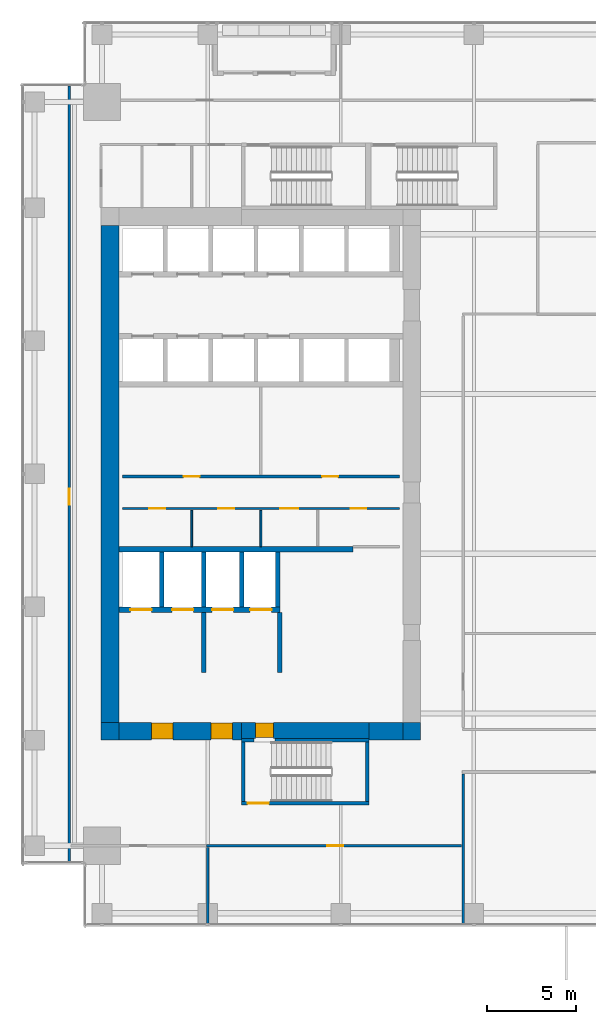
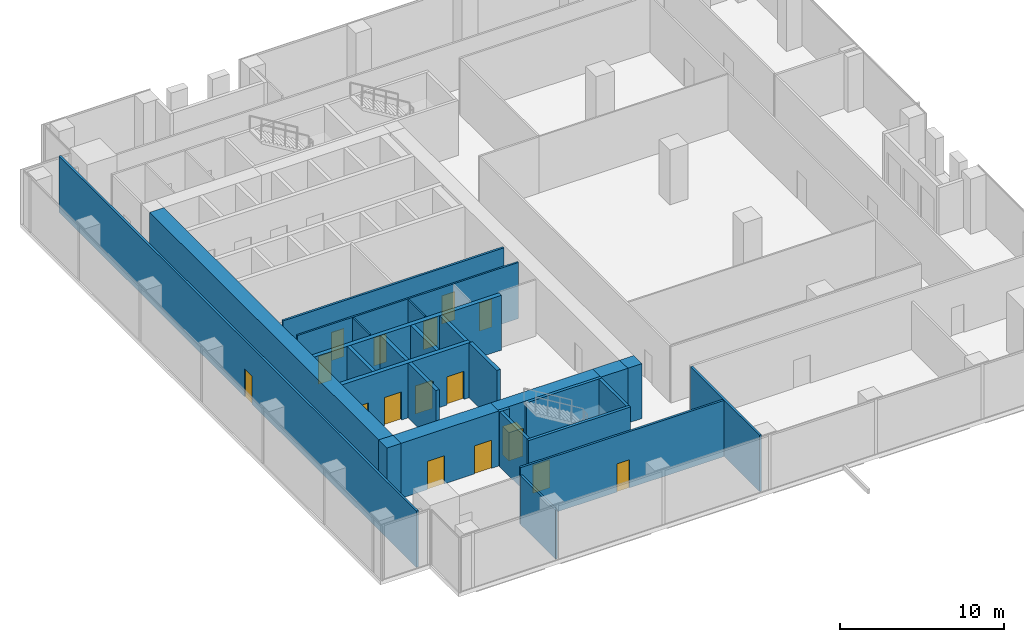
# One storey, part 28 of 34: 27 walls, 16 doors, 16 openings.
"""IFC4 building model written with IfcOpenShell, lengths in metres."""

import ifcopenshell
import ifcopenshell.guid

model = None  # the IFC model being written
_history = None  # IfcOwnerHistory: only IFC2X3 demands one
_inside = {}  # id of a spatial element -> (the spatial element, [elements in it])
_under = {}  # id of a project, library or spatial element -> (it, [spatial elements below it])
_declared = {}  # id of a project -> (the project, [libraries it declares])
_typed = {}  # id of a type object -> (the type object, [elements of that type])
_made_of = {}  # id of a material, layer set ... -> (it, [elements and type objects made of it])


def new_model(schema):
    """Start an empty IFC model of exactly this schema.

    Asked for "IFC4X3", IfcOpenShell would pick the latest addendum, in which some entities
    have other attributes; the version numbers below select the first issue.
    IFC2X3 requires an IfcOwnerHistory on every rooted entity: one is made here for all.
    """
    global model, _history
    if schema == "IFC4X3":
        model = ifcopenshell.file(schema_version=(4, 3, 0, 0))
    else:
        model = ifcopenshell.file(schema=schema)
    _inside.clear()
    _under.clear()
    _declared.clear()
    _typed.clear()
    _made_of.clear()
    _history = None
    if model.schema == "IFC2X3":
        org = make("IfcOrganization", Name="unknown")
        user = make(
            "IfcPersonAndOrganization",
            ThePerson=make("IfcPerson", FamilyName="unknown"),
            TheOrganization=org,
        )
        app = make(
            "IfcApplication",
            ApplicationDeveloper=org,
            Version="unknown",
            ApplicationFullName="unknown",
            ApplicationIdentifier="unknown",
        )
        _history = make(
            "IfcOwnerHistory",
            OwningUser=user,
            OwningApplication=app,
            ChangeAction="ADDED",
            CreationDate=0,
        )
    return model


def make(cls, **values):
    """One entity of the class cls with the attributes given. An attribute that is None is left unset."""
    return model.create_entity(
        cls, **{name: value for name, value in values.items() if value is not None}
    )


def rooted(cls, **values):
    """An entity with a GlobalId (a new one), such as an element, a storey or a relation."""
    return make(cls, GlobalId=ifcopenshell.guid.new(), OwnerHistory=_history, **values)


def si_unit(unit_type, name, prefix=None):
    """IfcSIUnit, for example si_unit("LENGTHUNIT", "METRE", prefix="MILLI")."""
    return make("IfcSIUnit", UnitType=unit_type, Prefix=prefix, Name=name)


def assignment(units):
    """IfcUnitAssignment: the units of a project."""
    return None if units is None else make("IfcUnitAssignment", Units=units)


def point(xyz):
    """IfcCartesianPoint."""
    return None if xyz is None else make("IfcCartesianPoint", Coordinates=xyz)


def direction(xyz):
    """IfcDirection."""
    return None if xyz is None else make("IfcDirection", DirectionRatios=xyz)


def frame(location, z_axis=None, x_axis=None):
    """IfcAxis2Placement3D, a coordinate frame: its origin and axes. An axis left out is left unset."""
    return make(
        "IfcAxis2Placement3D",
        Location=point(location),
        Axis=direction(z_axis),
        RefDirection=direction(x_axis),
    )


def frame_2d(location, x_axis=None):
    """IfcAxis2Placement2D, a coordinate frame in the plane: its origin and x axis."""
    return make(
        "IfcAxis2Placement2D", Location=point(location), RefDirection=direction(x_axis)
    )


def origin():
    """The frame at (0, 0, 0) with its axes left unset."""
    return frame((0.0, 0.0, 0.0))


def place(relative_to, where):
    """IfcLocalPlacement: puts the frame where relative to a parent placement (None: the world)."""
    return make(
        "IfcLocalPlacement", PlacementRelTo=relative_to, RelativePlacement=where
    )


def context(
    kind, dimensions, precision=None, world=None, true_north=None, identifier=None
):
    """IfcGeometricRepresentationContext, for example the 3D "Model" context."""
    return make(
        "IfcGeometricRepresentationContext",
        ContextIdentifier=identifier,
        ContextType=kind,
        CoordinateSpaceDimension=dimensions,
        Precision=precision,
        WorldCoordinateSystem=world,
        TrueNorth=true_north,
    )


def subcontext(parent, identifier, kind, view, scale=None):
    """IfcGeometricRepresentationSubContext, for example "Body" below "Model"."""
    return make(
        "IfcGeometricRepresentationSubContext",
        ContextIdentifier=identifier,
        ContextType=kind,
        ParentContext=parent,
        TargetScale=scale,
        TargetView=view,
    )


def project(units=None, contexts=None):
    """IfcProject with its units and contexts."""
    return rooted(
        "IfcProject",
        Name="project",
        RepresentationContexts=contexts,
        UnitsInContext=assignment(units),
    )


def spatial(cls, under=None, at=None, **own):
    """A site, building, storey or space (cls), placed at a placement, below another one or the project."""
    s = rooted(cls, ObjectPlacement=at, **own)
    if under is not None:
        _under.setdefault(under.id(), (under, []))[1].append(s)
    return s


def profile(cls, at=None, kind="AREA", **sizes):
    """A parametric profile (cls). Its sizes go by their IFC names, for example OverallWidth=200.0."""
    return make(cls, ProfileType=kind, Position=at, **sizes)


def rectangle(**sizes):
    """IfcRectangleProfileDef."""
    return profile("IfcRectangleProfileDef", **sizes)


def extrude(swept, where, along, depth):
    """IfcExtrudedAreaSolid: the profile swept, set in the frame where, extruded along a direction by depth."""
    return make(
        "IfcExtrudedAreaSolid",
        SweptArea=swept,
        Position=where,
        ExtrudedDirection=direction(along),
        Depth=depth,
    )


def shape(context_of_items, identifier, shape_type, items):
    """IfcShapeRepresentation: the items that make up one representation, for example the "Body"."""
    return make(
        "IfcShapeRepresentation",
        ContextOfItems=context_of_items,
        RepresentationIdentifier=identifier,
        RepresentationType=shape_type,
        Items=items,
    )


def source(mapping_origin, context_of_items, identifier, shape_type, items):
    """IfcRepresentationMap: a shape defined once, which mapped items show again and again."""
    return make(
        "IfcRepresentationMap",
        MappingOrigin=mapping_origin,
        MappedRepresentation=shape(context_of_items, identifier, shape_type, items),
    )


def transform(
    local_origin,
    x_axis=None,
    y_axis=None,
    z_axis=None,
    scale=None,
    scale2=None,
    scale3=None,
    uniform=True,
):
    """IfcCartesianTransformationOperator3D, or its non-uniform kind. x_axis, y_axis, z_axis: its Axis1, 2, 3."""
    if uniform:
        return make(
            "IfcCartesianTransformationOperator3D",
            Axis1=direction(x_axis),
            Axis2=direction(y_axis),
            LocalOrigin=point(local_origin),
            Scale=scale,
            Axis3=direction(z_axis),
        )
    return make(
        "IfcCartesianTransformationOperator3DnonUniform",
        Axis1=direction(x_axis),
        Axis2=direction(y_axis),
        LocalOrigin=point(local_origin),
        Scale=scale,
        Axis3=direction(z_axis),
        Scale2=scale2,
        Scale3=scale3,
    )


def mapped(mapping_source, mapping_target):
    """IfcMappedItem: shows the shape of a source again, moved by a transform."""
    return make(
        "IfcMappedItem", MappingSource=mapping_source, MappingTarget=mapping_target
    )


def material(Name=None, Category=None):
    """IfcMaterial."""
    return make("IfcMaterial", Name=Name, Category=Category)


def layer(
    of_material, thickness, ventilated=None, Name=None, Category=None, Priority=None
):
    """IfcMaterialLayer: one layer of a wall or slab, of a material (None: an air gap)."""
    return make(
        "IfcMaterialLayer",
        Material=of_material,
        LayerThickness=thickness,
        IsVentilated=ventilated,
        Name=Name,
        Category=Category,
        Priority=Priority,
    )


def layer_set(layers, Name=None):
    """IfcMaterialLayerSet."""
    return make("IfcMaterialLayerSet", MaterialLayers=layers, LayerSetName=Name)


def made_of(thing, what):
    """Note that an element or type object is made of a material, layer set ...; save() writes the relation."""
    if what is not None:
        _made_of.setdefault(what.id(), (what, []))[1].append(thing)
    return thing


def type_object(cls, material=None, **own):
    """A type object (cls), such as IfcWallType, which elements share."""
    return made_of(rooted(cls, **own), material)


def element(
    cls,
    number,
    at=None,
    inside=None,
    cuts=None,
    type_object=None,
    material=None,
    context=None,
    identifier="Body",
    shape_type=None,
    held_by="IfcProductDefinitionShape",
    body=None,
    shapes=None,
    **own,
):
    """One element of the class cls, such as IfcWall. Its Tag is "e" and its number.

    at: its placement. inside: the storey or other place that contains it. cuts: it is an
    opening in that element (IfcRelVoidsElement). A single representation is given by context,
    identifier, shape_type and body (its items); several are given by shapes. held_by: the class
    of the entity that holds the representations. save() writes the other relations.
    """
    e = rooted(cls, Tag="e%d" % number, ObjectPlacement=at, **own)
    if body is not None:
        shapes = [shape(context, identifier, shape_type, body)]
    if shapes is not None:
        e.Representation = make(held_by, Representations=shapes)
    if inside is not None:
        _inside.setdefault(inside.id(), (inside, []))[1].append(e)
    if cuts is not None:
        rooted(
            "IfcRelVoidsElement", RelatingBuildingElement=cuts, RelatedOpeningElement=e
        )
    if type_object is not None:
        _typed.setdefault(type_object.id(), (type_object, []))[1].append(e)
    return made_of(e, material)


def fill(opening, filler):
    """IfcRelFillsElement: the door or window that sits in an opening."""
    return rooted(
        "IfcRelFillsElement",
        RelatingOpeningElement=opening,
        RelatedBuildingElement=filler,
    )


def aggregate(whole, parts):
    """IfcRelAggregates: a whole, such as a stair, and the parts it consists of."""
    return rooted("IfcRelAggregates", RelatingObject=whole, RelatedObjects=parts)


def save(model, path):
    """Write the relations noted so far, then the file.

    IfcRelAggregates (storeys below a building ...), IfcRelContainedInSpatialStructure (elements
    in a storey), IfcRelDefinesByType, IfcRelAssociatesMaterial and IfcRelDeclares: one each for
    every whole, place, type object, material and project.
    """
    for whole, parts in _under.values():
        aggregate(whole, parts)
    for where, things in _inside.values():
        rooted(
            "IfcRelContainedInSpatialStructure",
            RelatedElements=things,
            RelatingStructure=where,
        )
    for kind, things in _typed.values():
        rooted("IfcRelDefinesByType", RelatedObjects=things, RelatingType=kind)
    for what, things in _made_of.values():
        rooted("IfcRelAssociatesMaterial", RelatedObjects=things, RelatingMaterial=what)
    for by, libraries in _declared.values():
        rooted("IfcRelDeclares", RelatingContext=by, RelatedDefinitions=libraries)
    model.write(path)


model = new_model("IFC4")

# Units and contexts
model_context = context("Model", 3, precision=1e-05, world=origin(), true_north=direction((0.0, 1.0)))
body_context = subcontext(model_context, "Body", "Model", "MODEL_VIEW")
ifc_project = project(units=[si_unit("LENGTHUNIT", "METRE"), si_unit("AREAUNIT", "SQUARE_METRE"), si_unit("VOLUMEUNIT", "CUBIC_METRE"), si_unit("PLANEANGLEUNIT", "RADIAN"), si_unit("MASSUNIT", "GRAM", prefix="KILO")], contexts=[model_context])

# Site, building, storey
site_placement = place(None, origin())
site = spatial("IfcSite", under=ifc_project, at=site_placement, CompositionType="ELEMENT")
building_placement = place(site_placement, origin())
building = spatial("IfcBuilding", under=site, at=building_placement, Name="Khomas Fold Tower", CompositionType="ELEMENT")
storey_placement = place(building_placement, frame((0.0, 0.0, 145.5)))
storey = spatial("IfcBuildingStorey", under=building, at=storey_placement, Name="L31", CompositionType="ELEMENT", Elevation=145.5)

# Wall, openings, doors
ifc_material_1 = material(Name="Concrete C70/85", Category="concrete")
ifc_layer_1 = layer(ifc_material_1, 1.0)
ifc_layer_set_1 = layer_set([ifc_layer_1], Name="Concrete C70/85")
wall_type_1 = type_object("IfcWallType", Name="Core wall 1000", PredefinedType="SHEAR", material=ifc_layer_set_1)
shared_shape_1 = source(origin(), body_context, "Body", "SweptSolid", [
    extrude(rectangle(XDim=6.89990234375, YDim=1.0, at=frame_2d((3.449951171875, 0.0))), origin(), (0.0, 0.0, 1.0), 4.10009765625),
])
wall_1_placement = place(storey_placement, frame((7.0, 12.5, 0.0), z_axis=(0.0, 0.0, 1.0), x_axis=(1.0, 0.0, 0.0)))
wall_1 = element("IfcWall", 1, at=wall_1_placement, inside=storey, type_object=wall_type_1, Name="Core wall CW-L-S-L21", PredefinedType="SHEAR", context=body_context, shape_type="MappedRepresentation", body=[
    mapped(shared_shape_1, transform((0.0, 0.0, 0.0))),
])
shared_shape_2 = source(origin(), body_context, "Body", "SweptSolid", [
    extrude(rectangle(XDim=1.199951171875, YDim=2.10009765625, at=frame_2d((0.60009765625, 1.050048828125))), frame((0.0, 0.510009765625, 0.0), z_axis=(0.0, -1.0, 0.0), x_axis=(1.0, 0.0, 0.0)), (0.0, 0.0, 1.0), 1.02001953125),
])
opening_1_placement = place(wall_1_placement, frame((5.199951171875, 0.0, 0.0)))
opening_1 = element("IfcOpeningElement", 2, at=opening_1_placement, cuts=wall_1, Name="Opening 0009", PredefinedType="OPENING", context=body_context, shape_type="MappedRepresentation", body=[
    mapped(shared_shape_2, transform((0.0, 0.0, 0.0))),
])
opening_2_placement = place(wall_1_placement, frame((1.85009765625, 0.0, 0.0)))
opening_2 = element("IfcOpeningElement", 3, at=opening_2_placement, cuts=wall_1, Name="Opening 0009", PredefinedType="OPENING", context=body_context, shape_type="MappedRepresentation", body=[
    mapped(shared_shape_2, transform((0.0, 0.0, 0.0))),
])
ifc_material_2 = material(Name="Steel door leaf", Category="steel")
door_type_1 = type_object("IfcDoorType", Name="Lobby door 1200x2100 right-hand", OperationType="SINGLE_SWING_RIGHT", PredefinedType="DOOR", material=ifc_material_2)
shared_shape_3 = source(origin(), body_context, "Body", "SweptSolid", [
    extrude(rectangle(XDim=1.199951171875, YDim=2.10009765625, at=frame_2d((0.60009765625, 1.050048828125))), frame((0.0, 0.449951171875, 0.0), z_axis=(0.0, -1.0, 0.0), x_axis=(1.0, 0.0, 0.0)), (0.0, 0.0, 1.0), 0.89990234375),
])
door_1_placement = place(opening_1_placement, origin())
door_1 = element("IfcDoor", 4, at=door_1_placement, inside=storey, type_object=door_type_1, Name="Lobby door", OperationType="SINGLE_SWING_RIGHT", OverallHeight=2.10009765625, OverallWidth=1.199951171875, PredefinedType="DOOR", context=body_context, shape_type="MappedRepresentation", body=[
    mapped(shared_shape_3, transform((0.0, 0.0, 0.0))),
])
fill(opening_1, door_1)
door_2_placement = place(opening_2_placement, origin())
door_2 = element("IfcDoor", 5, at=door_2_placement, inside=storey, type_object=door_type_1, Name="Lobby door", OperationType="SINGLE_SWING_RIGHT", OverallHeight=2.10009765625, OverallWidth=1.199951171875, PredefinedType="DOOR", context=body_context, shape_type="MappedRepresentation", body=[
    mapped(shared_shape_3, transform((0.0, 0.0, 0.0))),
])
fill(opening_2, door_2)

# Walls
ifc_material_3 = material(Name="Concrete C70/85", Category="concrete")
ifc_layer_2 = layer(ifc_material_3, 1.0)
ifc_layer_set_2 = layer_set([ifc_layer_2], Name="Concrete C70/85")
wall_type_2 = type_object("IfcWallType", Name="Core corner wall 1000", PredefinedType="SHEAR", material=ifc_layer_set_2)
shared_shape_4 = source(origin(), body_context, "Body", "SweptSolid", [
    extrude(rectangle(XDim=1.0, YDim=1.0, at=frame_2d((0.5, 0.0))), origin(), (0.0, 0.0, 1.0), 4.10009765625),
])
for number, where, z_axis, x_axis, name in (
    (6, (23.0, 12.5, 0.0), (0.0, 0.0, 1.0), (1.0, 0.0, 0.0), "Core wall CW-L-SE-L21"),
    (7, (6.0, 12.5, 0.0), (0.0, 0.0, 1.0), (1.0, 0.0, 0.0), "Core wall CW-L-SW-L21"),
):
    element("IfcWall", number, at=place(storey_placement, frame(where, z_axis=z_axis, x_axis=x_axis)), inside=storey, type_object=wall_type_2, Name=name, PredefinedType="SHEAR", context=body_context, shape_type="MappedRepresentation", body=[
        mapped(shared_shape_4, transform((0.0, 0.0, 0.0))),
    ])

# Wall, opening, door
ifc_material_4 = material(Name="Concrete C70/85", Category="concrete")
ifc_layer_3 = layer(ifc_material_4, 0.89990234375)
ifc_layer_set_3 = layer_set([ifc_layer_3], Name="Concrete C70/85")
wall_type_3 = type_object("IfcWallType", Name="Core wall 900", PredefinedType="SHEAR", material=ifc_layer_set_3)
shared_shape_5 = source(origin(), body_context, "Body", "SweptSolid", [
    extrude(rectangle(XDim=7.2001953125, YDim=0.89990234375, at=frame_2d((3.60009765625, 0.0))), origin(), (0.0, 0.0, 1.0), 4.10009765625),
])
wall_2_placement = place(storey_placement, frame((13.89990234375, 12.550048828125, 0.0), z_axis=(0.0, 0.0, 1.0), x_axis=(1.0, 0.0, 0.0)))
wall_2 = element("IfcWall", 8, at=wall_2_placement, inside=storey, type_object=wall_type_3, Name="Core wall CW-L-S-L21-1", PredefinedType="SHEAR", context=body_context, shape_type="MappedRepresentation", body=[
    mapped(shared_shape_5, transform((0.0, 0.0, 0.0))),
])
shared_shape_6 = source(origin(), body_context, "Body", "SweptSolid", [
    extrude(rectangle(XDim=1.0, YDim=2.10009765625, at=frame_2d((0.5, 1.050048828125))), frame((0.0, 0.4599609375, 0.0), z_axis=(0.0, -1.0, 0.0), x_axis=(1.0, 0.0, 0.0)), (0.0, 0.0, 1.0), 0.919921875),
])
opening_3_placement = place(wall_2_placement, frame((0.800048828125, 0.0, 0.0)))
opening_3 = element("IfcOpeningElement", 9, at=opening_3_placement, cuts=wall_2, Name="Opening 0010", PredefinedType="OPENING", context=body_context, shape_type="MappedRepresentation", body=[
    mapped(shared_shape_6, transform((0.0, 0.0, 0.0))),
])
ifc_material_5 = material(Name="Steel door leaf", Category="steel")
door_type_2 = type_object("IfcDoorType", Name="Stair door 1000x2100 right-hand", OperationType="SINGLE_SWING_RIGHT", PredefinedType="DOOR", material=ifc_material_5)
shared_shape_7 = source(origin(), body_context, "Body", "SweptSolid", [
    extrude(rectangle(XDim=1.0, YDim=2.10009765625, at=frame_2d((0.5, 1.050048828125))), frame((0.0, 0.39990234375, 0.0), z_axis=(0.0, -1.0, 0.0), x_axis=(1.0, 0.0, 0.0)), (0.0, 0.0, 1.0), 0.7998046875),
])
door_3_placement = place(opening_3_placement, origin())
door_3 = element("IfcDoor", 10, at=door_3_placement, inside=storey, type_object=door_type_2, Name="Stair door", OperationType="SINGLE_SWING_RIGHT", OverallHeight=2.10009765625, OverallWidth=1.0, PredefinedType="DOOR", context=body_context, shape_type="MappedRepresentation", body=[
    mapped(shared_shape_7, transform((0.0, 0.0, 0.0))),
])
fill(opening_3, door_3)

# Walls
shared_shape_8 = source(origin(), body_context, "Body", "SweptSolid", [
    extrude(rectangle(XDim=1.89990234375, YDim=1.0, at=frame_2d((0.949951171875, 0.0))), origin(), (0.0, 0.0, 1.0), 4.10009765625),
])
wall_3_placement = place(storey_placement, frame((21.10009765625, 12.5, 0.0), z_axis=(0.0, 0.0, 1.0), x_axis=(1.0, 0.0, 0.0)))
element("IfcWall", 11, at=wall_3_placement, inside=storey, type_object=wall_type_1, Name="Core wall CW-L-S-L21-2", PredefinedType="SHEAR", context=body_context, shape_type="MappedRepresentation", body=[
    mapped(shared_shape_8, transform((0.0, 0.0, 0.0))),
])
shared_shape_9 = source(origin(), body_context, "Body", "SweptSolid", [
    extrude(rectangle(XDim=28.0, YDim=1.0, at=frame_2d((14.0, 0.0))), origin(), (0.0, 0.0, 1.0), 4.10009765625),
])
wall_4_placement = place(storey_placement, frame((6.5, 13.0, 0.0), z_axis=(0.0, 0.0, 1.0), x_axis=(0.0, 1.0, 0.0)))
element("IfcWall", 12, at=wall_4_placement, inside=storey, type_object=wall_type_1, Name="Core wall CW-L-W-L21", PredefinedType="SHEAR", context=body_context, shape_type="MappedRepresentation", body=[
    mapped(shared_shape_9, transform((0.0, 0.0, 0.0))),
])
ifc_material_6 = material(Name="Concrete C50/60", Category="concrete")
ifc_layer_4 = layer(ifc_material_6, 0.199951171875)
ifc_layer_set_4 = layer_set([ifc_layer_4], Name="Concrete C50/60")
wall_type_4 = type_object("IfcWallType", Name="Stair wall 200", PredefinedType="SHEAR", material=ifc_layer_set_4)
shared_shape_10 = source(origin(), body_context, "Body", "SweptSolid", [
    extrude(rectangle(XDim=0.7001953125, YDim=0.199951171875, at=frame_2d((0.35009765625, 0.0))), origin(), (0.0, 0.0, 1.0), 4.10009765625),
])
wall_5_placement = place(storey_placement, frame((13.89990234375, 12.0, 0.0), z_axis=(0.0, 0.0, 1.0), x_axis=(1.0, 0.0, 0.0)))
element("IfcWall", 13, at=wall_5_placement, inside=storey, type_object=wall_type_4, Name="Stair wall SW-ST2-N", PredefinedType="SHEAR", context=body_context, shape_type="MappedRepresentation", body=[
    mapped(shared_shape_10, transform((0.0, 0.0, 0.0))),
])
shared_shape_11 = source(origin(), body_context, "Body", "SweptSolid", [
    extrude(rectangle(XDim=5.300048828125, YDim=0.199951171875, at=frame_2d((2.64990234375, 0.0))), origin(), (0.0, 0.0, 1.0), 4.10009765625),
])
wall_6_placement = place(storey_placement, frame((15.800048828125, 12.0, 0.0), z_axis=(0.0, 0.0, 1.0), x_axis=(1.0, 0.0, 0.0)))
element("IfcWall", 14, at=wall_6_placement, inside=storey, type_object=wall_type_4, Name="Stair wall SW-ST2-NB", PredefinedType="SHEAR", context=body_context, shape_type="MappedRepresentation", body=[
    mapped(shared_shape_11, transform((0.0, 0.0, 0.0))),
])

# Wall, opening, door
shared_shape_12 = source(origin(), body_context, "Body", "SweptSolid", [
    extrude(rectangle(XDim=7.2001953125, YDim=0.199951171875, at=frame_2d((3.60009765625, 0.0))), origin(), (0.0, 0.0, 1.0), 4.10009765625),
])
wall_7_placement = place(storey_placement, frame((13.89990234375, 8.449951171875, 0.0), z_axis=(0.0, 0.0, 1.0), x_axis=(1.0, 0.0, 0.0)))
wall_7 = element("IfcWall", 15, at=wall_7_placement, inside=storey, type_object=wall_type_4, Name="Stair wall SW-ST2-S", PredefinedType="SHEAR", context=body_context, shape_type="MappedRepresentation", body=[
    mapped(shared_shape_12, transform((0.0, 0.0, 0.0))),
])
shared_shape_13 = source(origin(), body_context, "Body", "SweptSolid", [
    extrude(rectangle(XDim=1.199951171875, YDim=2.10009765625, at=frame_2d((0.60009765625, 1.050048828125))), frame((0.0, 0.10986328125, 0.0), z_axis=(0.0, -1.0, 0.0), x_axis=(1.0, 0.0, 0.0)), (0.0, 0.0, 1.0), 0.219970703125),
])
opening_4_placement = place(wall_7_placement, frame((0.35009765625, 0.0, 0.0)))
opening_4 = element("IfcOpeningElement", 16, at=opening_4_placement, cuts=wall_7, Name="Opening SD-ST2", PredefinedType="OPENING", context=body_context, shape_type="MappedRepresentation", body=[
    mapped(shared_shape_13, transform((0.0, 0.0, 0.0))),
])
ifc_material_7 = material(Name="Steel door leaf", Category="steel")
door_type_3 = type_object("IfcDoorType", Name="Stair door 1200x2100 right-hand", OperationType="SINGLE_SWING_RIGHT", PredefinedType="DOOR", material=ifc_material_7)
shared_shape_14 = source(origin(), body_context, "Body", "SweptSolid", [
    extrude(rectangle(XDim=1.199951171875, YDim=2.10009765625, at=frame_2d((0.60009765625, 1.050048828125))), frame((0.0, 0.02490234375, 0.0), z_axis=(0.0, -1.0, 0.0), x_axis=(1.0, 0.0, 0.0)), (0.0, 0.0, 1.0), 0.050048828125),
])
door_4_placement = place(opening_4_placement, origin())
door_4 = element("IfcDoor", 17, at=door_4_placement, inside=storey, type_object=door_type_3, Name="Stair door", OperationType="SINGLE_SWING_RIGHT", OverallHeight=2.10009765625, OverallWidth=1.199951171875, PredefinedType="DOOR", context=body_context, shape_type="MappedRepresentation", body=[
    mapped(shared_shape_14, transform((0.0, 0.0, 0.0))),
])
fill(opening_4, door_4)

# Walls
shared_shape_15 = source(origin(), body_context, "Body", "SweptSolid", [
    extrude(rectangle(XDim=3.349853515625, YDim=0.199951171875, at=frame_2d((1.6748046875, 0.0))), origin(), (0.0, 0.0, 1.0), 4.10009765625),
])
for number, where, z_axis, x_axis, name in (
    (18, (21.0, 8.550048828125, 0.0), (0.0, 0.0, 1.0), (0.0, 1.0, 0.0), "Stair wall SW-ST2-E"),
    (19, (14.0, 8.550048828125, 0.0), (0.0, 0.0, 1.0), (0.0, 1.0, 0.0), "Stair wall SW-ST2-W"),
):
    element("IfcWall", number, at=place(storey_placement, frame(where, z_axis=z_axis, x_axis=x_axis)), inside=storey, type_object=wall_type_4, Name=name, PredefinedType="SHEAR", context=body_context, shape_type="MappedRepresentation", body=[
        mapped(shared_shape_15, transform((0.0, 0.0, 0.0))),
    ])
ifc_material_8 = material(Name="Concrete C50/60", Category="concrete")
ifc_layer_5 = layer(ifc_material_8, 0.300048828125)
ifc_layer_set_5 = layer_set([ifc_layer_5], Name="Concrete C50/60")
wall_type_5 = type_object("IfcWallType", Name="Shaft wall 300", PredefinedType="STANDARD", material=ifc_layer_set_5)
shared_shape_16 = source(origin(), body_context, "Body", "SweptSolid", [
    extrude(rectangle(XDim=13.199951171875, YDim=0.300048828125, at=frame_2d((6.60009765625, 0.0))), origin(), (0.0, 0.0, 1.0), 4.10009765625),
])
wall_8_placement = place(storey_placement, frame((7.0, 22.75, 0.0), z_axis=(0.0, 0.0, 1.0), x_axis=(1.0, 0.0, 0.0)))
element("IfcWall", 20, at=wall_8_placement, inside=storey, type_object=wall_type_5, Name="Core wall SW-FS-B", PredefinedType="STANDARD", context=body_context, shape_type="MappedRepresentation", body=[
    mapped(shared_shape_16, transform((0.0, 0.0, 0.0))),
])

# Wall, openings, doors
shared_shape_17 = source(origin(), body_context, "Body", "SweptSolid", [
    extrude(rectangle(XDim=9.074951171875, YDim=0.300048828125, at=frame_2d((4.53759765625, 0.0))), origin(), (0.0, 0.0, 1.0), 4.10009765625),
])
wall_9_placement = place(storey_placement, frame((7.0, 19.35009765625, 0.0), z_axis=(0.0, 0.0, 1.0), x_axis=(1.0, 0.0, 0.0)))
wall_9 = element("IfcWall", 21, at=wall_9_placement, inside=storey, type_object=wall_type_5, Name="Core wall SW-FS-F", PredefinedType="STANDARD", context=body_context, shape_type="MappedRepresentation", body=[
    mapped(shared_shape_17, transform((0.0, 0.0, 0.0))),
])
shared_shape_18 = source(origin(), body_context, "Body", "SweptSolid", [
    extrude(rectangle(XDim=1.199951171875, YDim=2.10009765625, at=frame_2d((0.60009765625, 1.050048828125))), frame((0.0, 0.159912109375, 0.0), z_axis=(0.0, -1.0, 0.0), x_axis=(1.0, 0.0, 0.0)), (0.0, 0.0, 1.0), 0.320068359375),
])
opening_5_placement = place(wall_9_placement, frame((0.64990234375, 0.0, 0.0)))
opening_5 = element("IfcOpeningElement", 22, at=opening_5_placement, cuts=wall_9, Name="Opening LD-SV1", PredefinedType="OPENING", context=body_context, shape_type="MappedRepresentation", body=[
    mapped(shared_shape_18, transform((0.0, 0.0, 0.0))),
])
opening_6_placement = place(wall_9_placement, frame((3.0, 0.0, 0.0)))
opening_6 = element("IfcOpeningElement", 23, at=opening_6_placement, cuts=wall_9, Name="Opening LD-SV2", PredefinedType="OPENING", context=body_context, shape_type="MappedRepresentation", body=[
    mapped(shared_shape_18, transform((0.0, 0.0, 0.0))),
])
opening_7_placement = place(wall_9_placement, frame((5.25, 0.0, 0.0)))
opening_7 = element("IfcOpeningElement", 24, at=opening_7_placement, cuts=wall_9, Name="Opening LD-FF1", PredefinedType="OPENING", context=body_context, shape_type="MappedRepresentation", body=[
    mapped(shared_shape_18, transform((0.0, 0.0, 0.0))),
])
opening_8_placement = place(wall_9_placement, frame((7.39990234375, 0.0, 0.0)))
opening_8 = element("IfcOpeningElement", 25, at=opening_8_placement, cuts=wall_9, Name="Opening LD-FF2", PredefinedType="OPENING", context=body_context, shape_type="MappedRepresentation", body=[
    mapped(shared_shape_18, transform((0.0, 0.0, 0.0))),
])
ifc_material_9 = material(Name="Steel door leaf", Category="steel")
door_type_4 = type_object("IfcDoorType", Name="Landing door 1200x2100", OperationType="DOUBLE_DOOR_SLIDING", PredefinedType="DOOR", material=ifc_material_9)
door_5_placement = place(opening_5_placement, origin())
door_5 = element("IfcDoor", 26, at=door_5_placement, inside=storey, type_object=door_type_4, Name="Lift landing door", OperationType="DOUBLE_DOOR_SLIDING", OverallHeight=2.10009765625, OverallWidth=1.199951171875, PredefinedType="DOOR", context=body_context, shape_type="MappedRepresentation", body=[
    mapped(shared_shape_14, transform((0.0, 0.0, 0.0))),
])
fill(opening_5, door_5)
door_6_placement = place(opening_6_placement, origin())
door_6 = element("IfcDoor", 27, at=door_6_placement, inside=storey, type_object=door_type_4, Name="Lift landing door", OperationType="DOUBLE_DOOR_SLIDING", OverallHeight=2.10009765625, OverallWidth=1.199951171875, PredefinedType="DOOR", context=body_context, shape_type="MappedRepresentation", body=[
    mapped(shared_shape_14, transform((0.0, 0.0, 0.0))),
])
fill(opening_6, door_6)
door_7_placement = place(opening_7_placement, origin())
door_7 = element("IfcDoor", 28, at=door_7_placement, inside=storey, type_object=door_type_4, Name="Lift landing door", OperationType="DOUBLE_DOOR_SLIDING", OverallHeight=2.10009765625, OverallWidth=1.199951171875, PredefinedType="DOOR", context=body_context, shape_type="MappedRepresentation", body=[
    mapped(shared_shape_14, transform((0.0, 0.0, 0.0))),
])
fill(opening_7, door_7)
door_8_placement = place(opening_8_placement, origin())
door_8 = element("IfcDoor", 29, at=door_8_placement, inside=storey, type_object=door_type_4, Name="Lift landing door", OperationType="DOUBLE_DOOR_SLIDING", OverallHeight=2.10009765625, OverallWidth=1.199951171875, PredefinedType="DOOR", context=body_context, shape_type="MappedRepresentation", body=[
    mapped(shared_shape_14, transform((0.0, 0.0, 0.0))),
])
fill(opening_8, door_8)

# Walls
ifc_material_10 = material(Name="Concrete C50/60", Category="concrete")
ifc_layer_6 = layer(ifc_material_10, 0.25)
ifc_layer_set_6 = layer_set([ifc_layer_6], Name="Concrete C50/60")
wall_type_6 = type_object("IfcWallType", Name="Shaft wall 250", PredefinedType="STANDARD", material=ifc_layer_set_6)
shared_shape_19 = source(origin(), body_context, "Body", "SweptSolid", [
    extrude(rectangle(XDim=3.10009765625, YDim=0.25, at=frame_2d((1.550048828125, 0.0))), origin(), (0.0, 0.0, 1.0), 4.10009765625),
])
for number, where, z_axis, x_axis, name in (
    (30, (9.425048828125, 19.5, 0.0), (0.0, 0.0, 1.0), (0.0, 1.0, 0.0), "Core wall SW-FS-P1"),
    (31, (11.77490234375, 19.5, 0.0), (0.0, 0.0, 1.0), (0.0, 1.0, 0.0), "Core wall SW-FS-P2"),
    (32, (13.925048828125, 19.5, 0.0), (0.0, 0.0, 1.0), (0.0, 1.0, 0.0), "Core wall SW-FS-P3"),
    (33, (15.949951171875, 19.5, 0.0), (0.0, 0.0, 1.0), (0.0, 1.0, 0.0), "Core wall SW-FS-PE"),
):
    element("IfcWall", number, at=place(storey_placement, frame(where, z_axis=z_axis, x_axis=x_axis)), inside=storey, type_object=wall_type_6, Name=name, PredefinedType="STANDARD", context=body_context, shape_type="MappedRepresentation", body=[
        mapped(shared_shape_19, transform((0.0, 0.0, 0.0))),
    ])
ifc_material_11 = material(Name="Concrete C50/60", Category="concrete")
ifc_layer_7 = layer(ifc_material_11, 0.25)
ifc_layer_set_7 = layer_set([ifc_layer_7], Name="Concrete C50/60")
wall_type_7 = type_object("IfcWallType", Name="Lobby wall 250", PredefinedType="STANDARD", material=ifc_layer_set_7)
shared_shape_20 = source(origin(), body_context, "Body", "SweptSolid", [
    extrude(rectangle(XDim=3.39990234375, YDim=0.25, at=frame_2d((1.699951171875, 0.0))), origin(), (0.0, 0.0, 1.0), 4.10009765625),
])
for number, where, z_axis, x_axis, name in (
    (34, (16.074951171875, 15.800048828125, 0.0), (0.0, 0.0, 1.0), (0.0, 1.0, 0.0), "Core wall SW-FS-LOB-E"),
    (35, (11.77490234375, 15.800048828125, 0.0), (0.0, 0.0, 1.0), (0.0, 1.0, 0.0), "Core wall SW-FS-SEP"),
):
    element("IfcWall", number, at=place(storey_placement, frame(where, z_axis=z_axis, x_axis=x_axis)), inside=storey, type_object=wall_type_7, Name=name, PredefinedType="STANDARD", context=body_context, shape_type="MappedRepresentation", body=[
        mapped(shared_shape_20, transform((0.0, 0.0, 0.0))),
    ])
ifc_material_12 = material(Name="Plasterboard partition")
ifc_layer_8 = layer(ifc_material_12, 0.10009765625)
ifc_layer_set_8 = layer_set([ifc_layer_8], Name="Plasterboard partition")
wall_type_8 = type_object("IfcWallType", Name="Partition PW1 100", PredefinedType="PARTITIONING", material=ifc_layer_set_8)
shared_shape_21 = source(origin(), body_context, "Body", "SweptSolid", [
    extrude(rectangle(XDim=2.050048828125, YDim=0.10009765625, at=frame_2d((1.02490234375, 0.0))), origin(), (0.0, 0.0, 1.0), 4.199951171875),
])
for number, where, z_axis, x_axis, name in (
    (36, (11.10009765625, 22.89990234375, 0.0), (0.0, 0.0, 1.0), (0.0, 1.0, 0.0), "Partition"),
    (37, (15.0, 22.89990234375, 0.0), (0.0, 0.0, 1.0), (0.0, 1.0, 0.0), "Partition"),
):
    element("IfcWall", number, at=place(storey_placement, frame(where, z_axis=z_axis, x_axis=x_axis)), inside=storey, type_object=wall_type_8, Name=name, PredefinedType="PARTITIONING", context=body_context, shape_type="MappedRepresentation", body=[
        mapped(shared_shape_21, transform((0.0, 0.0, 0.0))),
    ])

# Wall, openings, doors
ifc_material_13 = material(Name="Plasterboard partition")
ifc_layer_9 = layer(ifc_material_13, 0.125)
ifc_layer_set_9 = layer_set([ifc_layer_9], Name="Plasterboard partition")
wall_type_9 = type_object("IfcWallType", Name="Partition PW2 125", PredefinedType="PARTITIONING", material=ifc_layer_set_9)
shared_shape_22 = source(origin(), body_context, "Body", "SweptSolid", [
    extrude(rectangle(XDim=15.60009765625, YDim=0.125, at=frame_2d((7.800048828125, 0.0))), origin(), (0.0, 0.0, 1.0), 4.199951171875),
])
wall_10_placement = place(storey_placement, frame((7.199951171875, 25.050048828125, 0.0), z_axis=(0.0, 0.0, 1.0), x_axis=(1.0, 0.0, 0.0)))
wall_10 = element("IfcWall", 38, at=wall_10_placement, inside=storey, type_object=wall_type_9, Name="Partition", PredefinedType="PARTITIONING", context=body_context, shape_type="MappedRepresentation", body=[
    mapped(shared_shape_22, transform((0.0, 0.0, 0.0))),
])
shared_shape_23 = source(origin(), body_context, "Body", "SweptSolid", [
    extrude(rectangle(XDim=0.89990234375, YDim=2.10009765625, at=frame_2d((0.449951171875, 1.050048828125))), frame((0.0, 0.072509765625, 0.0), z_axis=(0.0, -1.0, 0.0), x_axis=(1.0, 0.0, 0.0)), (0.0, 0.0, 1.0), 0.14501953125),
])
opening_9_placement = place(wall_10_placement, frame((1.5, 0.0, 0.0)))
opening_9 = element("IfcOpeningElement", 39, at=opening_9_placement, cuts=wall_10, Name="Opening 0004", PredefinedType="OPENING", context=body_context, shape_type="MappedRepresentation", body=[
    mapped(shared_shape_23, transform((0.0, 0.0, 0.0))),
])
opening_10_placement = place(wall_10_placement, frame((5.39990234375, 0.0, 0.0)))
opening_10 = element("IfcOpeningElement", 40, at=opening_10_placement, cuts=wall_10, Name="Opening 0005", PredefinedType="OPENING", context=body_context, shape_type="MappedRepresentation", body=[
    mapped(shared_shape_23, transform((0.0, 0.0, 0.0))),
])
shared_shape_24 = source(origin(), body_context, "Body", "SweptSolid", [
    extrude(rectangle(XDim=1.0, YDim=2.10009765625, at=frame_2d((0.5, 1.050048828125))), frame((0.0, 0.072509765625, 0.0), z_axis=(0.0, -1.0, 0.0), x_axis=(1.0, 0.0, 0.0)), (0.0, 0.0, 1.0), 0.14501953125),
])
opening_11_placement = place(wall_10_placement, frame((8.89990234375, 0.0, 0.0)))
opening_11 = element("IfcOpeningElement", 41, at=opening_11_placement, cuts=wall_10, Name="Opening 0006", PredefinedType="OPENING", context=body_context, shape_type="MappedRepresentation", body=[
    mapped(shared_shape_24, transform((0.0, 0.0, 0.0))),
])
opening_12_placement = place(wall_10_placement, frame((12.85009765625, 0.0, 0.0)))
opening_12 = element("IfcOpeningElement", 42, at=opening_12_placement, cuts=wall_10, Name="Opening 0007", PredefinedType="OPENING", context=body_context, shape_type="MappedRepresentation", body=[
    mapped(shared_shape_23, transform((0.0, 0.0, 0.0))),
])
ifc_material_14 = material(Name="Timber door leaf", Category="wood")
door_type_5 = type_object("IfcDoorType", Name="WC door 900x2100 right-hand", OperationType="SINGLE_SWING_RIGHT", PredefinedType="DOOR", material=ifc_material_14)
shared_shape_25 = source(origin(), body_context, "Body", "SweptSolid", [
    extrude(rectangle(XDim=0.89990234375, YDim=2.10009765625, at=frame_2d((0.449951171875, 1.050048828125))), frame((0.0, 0.02490234375, 0.0), z_axis=(0.0, -1.0, 0.0), x_axis=(1.0, 0.0, 0.0)), (0.0, 0.0, 1.0), 0.050048828125),
])
door_9_placement = place(opening_9_placement, origin())
door_9 = element("IfcDoor", 43, at=door_9_placement, inside=storey, type_object=door_type_5, Name="WC door", OperationType="SINGLE_SWING_RIGHT", OverallHeight=2.10009765625, OverallWidth=0.89990234375, PredefinedType="DOOR", context=body_context, shape_type="MappedRepresentation", body=[
    mapped(shared_shape_25, transform((0.0, 0.0, 0.0))),
])
fill(opening_9, door_9)
ifc_material_15 = material(Name="Timber door leaf", Category="wood")
door_type_6 = type_object("IfcDoorType", Name="WC door 900x2100 left-hand", OperationType="SINGLE_SWING_LEFT", PredefinedType="DOOR", material=ifc_material_15)
door_10_placement = place(opening_10_placement, origin())
door_10 = element("IfcDoor", 44, at=door_10_placement, inside=storey, type_object=door_type_6, Name="WC door", OperationType="SINGLE_SWING_LEFT", OverallHeight=2.10009765625, OverallWidth=0.89990234375, PredefinedType="DOOR", context=body_context, shape_type="MappedRepresentation", body=[
    mapped(shared_shape_25, transform((0.0, 0.0, 0.0))),
])
fill(opening_10, door_10)
ifc_material_16 = material(Name="Timber door leaf", Category="wood")
door_type_7 = type_object("IfcDoorType", Name="Door 900x2100 left-hand", OperationType="SINGLE_SWING_LEFT", PredefinedType="DOOR", material=ifc_material_16)
door_11_placement = place(opening_12_placement, origin())
door_11 = element("IfcDoor", 45, at=door_11_placement, inside=storey, type_object=door_type_7, Name="Door", OperationType="SINGLE_SWING_LEFT", OverallHeight=2.10009765625, OverallWidth=0.89990234375, PredefinedType="DOOR", context=body_context, shape_type="MappedRepresentation", body=[
    mapped(shared_shape_25, transform((0.0, 0.0, 0.0))),
])
fill(opening_12, door_11)
ifc_material_17 = material(Name="Timber door leaf", Category="wood")
door_type_8 = type_object("IfcDoorType", Name="WC door 1000x2100 right-hand", OperationType="SINGLE_SWING_RIGHT", PredefinedType="DOOR", material=ifc_material_17)
shared_shape_26 = source(origin(), body_context, "Body", "SweptSolid", [
    extrude(rectangle(XDim=1.0, YDim=2.10009765625, at=frame_2d((0.5, 1.050048828125))), frame((0.0, 0.02490234375, 0.0), z_axis=(0.0, -1.0, 0.0), x_axis=(1.0, 0.0, 0.0)), (0.0, 0.0, 1.0), 0.050048828125),
])
door_12_placement = place(opening_11_placement, origin())
door_12 = element("IfcDoor", 46, at=door_12_placement, inside=storey, type_object=door_type_8, Name="WC door", OperationType="SINGLE_SWING_RIGHT", OverallHeight=2.10009765625, OverallWidth=1.0, PredefinedType="DOOR", context=body_context, shape_type="MappedRepresentation", body=[
    mapped(shared_shape_26, transform((0.0, 0.0, 0.0))),
])
fill(opening_11, door_12)

ifc_material_18 = material(Name="Plasterboard fire partition")
ifc_layer_10 = layer(ifc_material_18, 0.14990234375)
ifc_layer_set_10 = layer_set([ifc_layer_10], Name="Plasterboard fire partition")
wall_type_10 = type_object("IfcWallType", Name="Plant room wall PW3 150", PredefinedType="PARTITIONING", material=ifc_layer_set_10)
shared_shape_27 = source(origin(), body_context, "Body", "SweptSolid", [
    extrude(rectangle(XDim=15.60009765625, YDim=0.14990234375, at=frame_2d((7.800048828125, 0.0))), origin(), (0.0, 0.0, 1.0), 4.199951171875),
])
wall_11_placement = place(storey_placement, frame((7.199951171875, 26.85009765625, 0.0), z_axis=(0.0, 0.0, 1.0), x_axis=(1.0, 0.0, 0.0)))
wall_11 = element("IfcWall", 47, at=wall_11_placement, inside=storey, type_object=wall_type_10, Name="Plant room wall", PredefinedType="PARTITIONING", context=body_context, shape_type="MappedRepresentation", body=[
    mapped(shared_shape_27, transform((0.0, 0.0, 0.0))),
])
shared_shape_28 = source(origin(), body_context, "Body", "SweptSolid", [
    extrude(rectangle(XDim=0.89990234375, YDim=2.10009765625, at=frame_2d((0.449951171875, 1.050048828125))), frame((0.0, 0.0849609375, 0.0), z_axis=(0.0, -1.0, 0.0), x_axis=(1.0, 0.0, 0.0)), (0.0, 0.0, 1.0), 0.169921875),
])
opening_13_placement = place(wall_11_placement, frame((3.449951171875, 0.0, 0.0)))
opening_13 = element("IfcOpeningElement", 48, at=opening_13_placement, cuts=wall_11, Name="Opening 0002", PredefinedType="OPENING", context=body_context, shape_type="MappedRepresentation", body=[
    mapped(shared_shape_28, transform((0.0, 0.0, 0.0))),
])
opening_14_placement = place(wall_11_placement, frame((11.25, 0.0, 0.0)))
opening_14 = element("IfcOpeningElement", 49, at=opening_14_placement, cuts=wall_11, Name="Opening 0003", PredefinedType="OPENING", context=body_context, shape_type="MappedRepresentation", body=[
    mapped(shared_shape_28, transform((0.0, 0.0, 0.0))),
])
ifc_material_19 = material(Name="Steel door leaf", Category="steel")
door_type_9 = type_object("IfcDoorType", Name="Plant room door 900x2100 left-hand", OperationType="SINGLE_SWING_LEFT", PredefinedType="DOOR", material=ifc_material_19)
door_13_placement = place(opening_13_placement, origin())
door_13 = element("IfcDoor", 50, at=door_13_placement, inside=storey, type_object=door_type_9, Name="Plant room door", OperationType="SINGLE_SWING_LEFT", OverallHeight=2.10009765625, OverallWidth=0.89990234375, PredefinedType="DOOR", context=body_context, shape_type="MappedRepresentation", body=[
    mapped(shared_shape_25, transform((0.0, 0.0, 0.0))),
])
fill(opening_13, door_13)
ifc_material_20 = material(Name="Steel door leaf", Category="steel")
door_type_10 = type_object("IfcDoorType", Name="Plant room door 900x2100 right-hand", OperationType="SINGLE_SWING_RIGHT", PredefinedType="DOOR", material=ifc_material_20)
door_14_placement = place(opening_14_placement, origin())
door_14 = element("IfcDoor", 51, at=door_14_placement, inside=storey, type_object=door_type_10, Name="Plant room door", OperationType="SINGLE_SWING_RIGHT", OverallHeight=2.10009765625, OverallWidth=0.89990234375, PredefinedType="DOOR", context=body_context, shape_type="MappedRepresentation", body=[
    mapped(shared_shape_25, transform((0.0, 0.0, 0.0))),
])
fill(opening_14, door_14)

# Walls
shared_shape_29 = source(origin(), body_context, "Body", "SweptSolid", [
    extrude(rectangle(XDim=4.300048828125, YDim=0.14990234375, at=frame_2d((2.14990234375, 0.0))), origin(), (0.0, 0.0, 1.0), 3.64990234375),
])
wall_12_placement = place(storey_placement, frame((12.0, 1.64990234375, 0.0), z_axis=(0.0, 0.0, 1.0), x_axis=(0.0, 1.0, 0.0)))
element("IfcWall", 52, at=wall_12_placement, inside=storey, type_object=wall_type_10, Name="Plant room wall", PredefinedType="PARTITIONING", context=body_context, shape_type="MappedRepresentation", body=[
    mapped(shared_shape_29, transform((0.0, 0.0, 0.0))),
])
shared_shape_30 = source(origin(), body_context, "Body", "SweptSolid", [
    extrude(rectangle(XDim=8.4501953125, YDim=0.14990234375, at=frame_2d((4.22509765625, 0.0))), origin(), (0.0, 0.0, 1.0), 4.199951171875),
])
wall_13_placement = place(storey_placement, frame((26.39990234375, 1.64990234375, 0.0), z_axis=(0.0, 0.0, 1.0), x_axis=(0.0, 1.0, 0.0)))
element("IfcWall", 53, at=wall_13_placement, inside=storey, type_object=wall_type_10, Name="Plant room wall", PredefinedType="PARTITIONING", context=body_context, shape_type="MappedRepresentation", body=[
    mapped(shared_shape_30, transform((0.0, 0.0, 0.0))),
])

# Wall, opening, door
shared_shape_31 = source(origin(), body_context, "Body", "SweptSolid", [
    extrude(rectangle(XDim=43.7001953125, YDim=0.14990234375, at=frame_2d((21.85009765625, 0.0))), origin(), (0.0, 0.0, 1.0), 4.199951171875),
])
wall_14_placement = place(storey_placement, frame((4.199951171875, 5.14990234375, 0.0), z_axis=(0.0, 0.0, 1.0), x_axis=(0.0, 1.0, 0.0)))
wall_14 = element("IfcWall", 54, at=wall_14_placement, inside=storey, type_object=wall_type_10, Name="Plant room wall", PredefinedType="PARTITIONING", context=body_context, shape_type="MappedRepresentation", body=[
    mapped(shared_shape_31, transform((0.0, 0.0, 0.0))),
])
opening_15_placement = place(wall_14_placement, frame((20.10009765625, 0.0, 0.0)))
opening_15 = element("IfcOpeningElement", 55, at=opening_15_placement, cuts=wall_14, Name="Opening 0003", PredefinedType="OPENING", context=body_context, shape_type="MappedRepresentation", body=[
    mapped(shared_shape_28, transform((0.0, 0.0, 0.0))),
])
door_15_placement = place(opening_15_placement, origin())
door_15 = element("IfcDoor", 56, at=door_15_placement, inside=storey, type_object=door_type_10, Name="Plant room door", OperationType="SINGLE_SWING_RIGHT", OverallHeight=2.10009765625, OverallWidth=0.89990234375, PredefinedType="DOOR", context=body_context, shape_type="MappedRepresentation", body=[
    mapped(shared_shape_25, transform((0.0, 0.0, 0.0))),
])
fill(opening_15, door_15)

shared_shape_32 = source(origin(), body_context, "Body", "SweptSolid", [
    extrude(rectangle(XDim=14.35009765625, YDim=0.14990234375, at=frame_2d((7.175048828125, 0.0))), origin(), (0.0, 0.0, 1.0), 4.199951171875),
])
wall_15_placement = place(storey_placement, frame((11.949951171875, 6.050048828125, 0.0), z_axis=(0.0, 0.0, 1.0), x_axis=(1.0, 0.0, 0.0)))
wall_15 = element("IfcWall", 57, at=wall_15_placement, inside=storey, type_object=wall_type_10, Name="Plant room wall", PredefinedType="PARTITIONING", context=body_context, shape_type="MappedRepresentation", body=[
    mapped(shared_shape_32, transform((0.0, 0.0, 0.0))),
])
opening_16_placement = place(wall_15_placement, frame((6.800048828125, 0.0, 0.0)))
opening_16 = element("IfcOpeningElement", 58, at=opening_16_placement, cuts=wall_15, Name="Opening 0003", PredefinedType="OPENING", context=body_context, shape_type="MappedRepresentation", body=[
    mapped(shared_shape_28, transform((0.0, 0.0, 0.0))),
])
door_16_placement = place(opening_16_placement, origin())
door_16 = element("IfcDoor", 59, at=door_16_placement, inside=storey, type_object=door_type_10, Name="Plant room door", OperationType="SINGLE_SWING_RIGHT", OverallHeight=2.10009765625, OverallWidth=0.89990234375, PredefinedType="DOOR", context=body_context, shape_type="MappedRepresentation", body=[
    mapped(shared_shape_25, transform((0.0, 0.0, 0.0))),
])
fill(opening_16, door_16)

save(model, "model.ifc")
